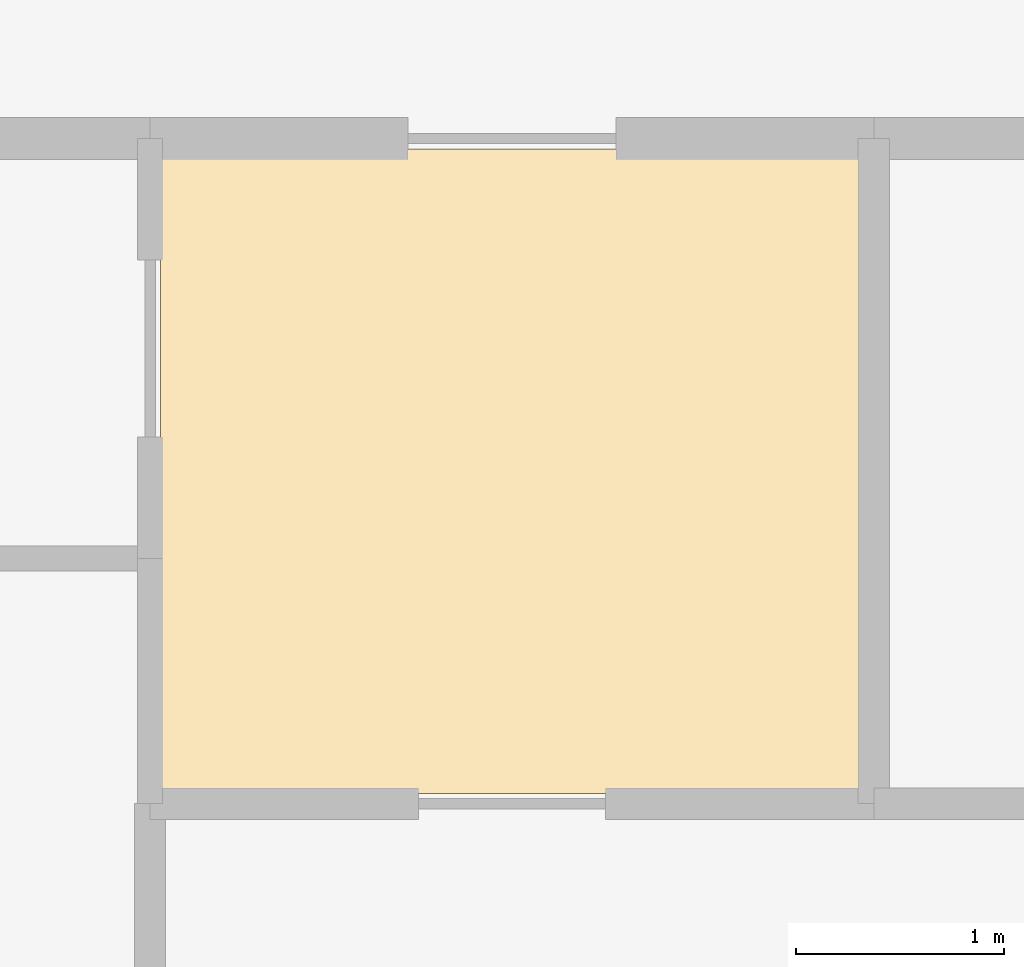
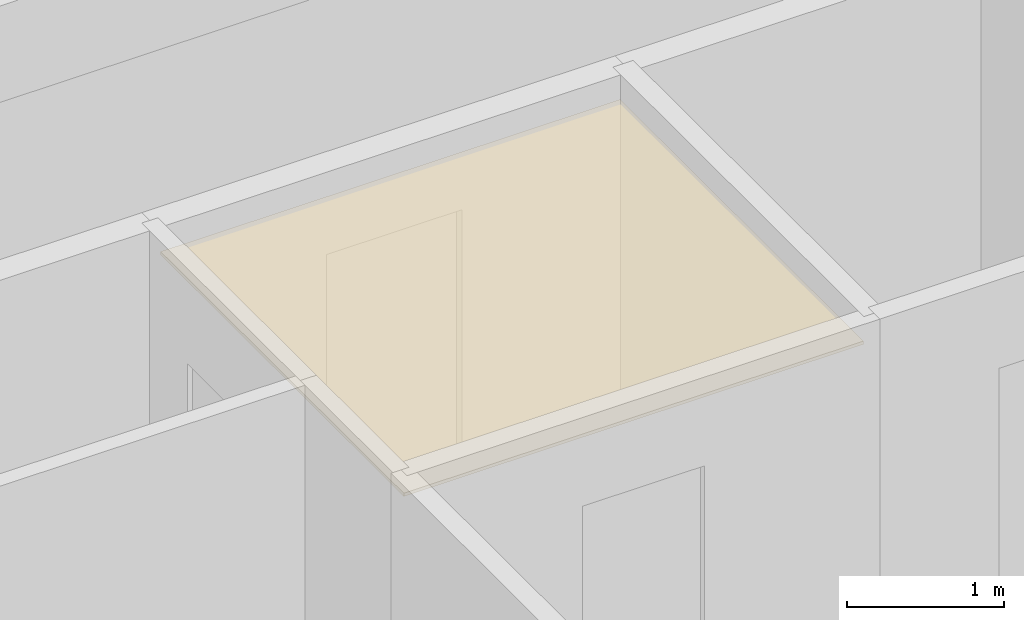
# One storey, part 11 of 16: 1 covering.
"""IFC4 building model written with IfcOpenShell, lengths in metres."""

import ifcopenshell
import ifcopenshell.guid

model = None  # the IFC model being written
_history = None  # IfcOwnerHistory: only IFC2X3 demands one
_inside = {}  # id of a spatial element -> (the spatial element, [elements in it])
_under = {}  # id of a project, library or spatial element -> (it, [spatial elements below it])
_declared = {}  # id of a project -> (the project, [libraries it declares])
_typed = {}  # id of a type object -> (the type object, [elements of that type])
_made_of = {}  # id of a material, layer set ... -> (it, [elements and type objects made of it])


def new_model(schema):
    """Start an empty IFC model of exactly this schema.

    Asked for "IFC4X3", IfcOpenShell would pick the latest addendum, in which some entities
    have other attributes; the version numbers below select the first issue.
    IFC2X3 requires an IfcOwnerHistory on every rooted entity: one is made here for all.
    """
    global model, _history
    if schema == "IFC4X3":
        model = ifcopenshell.file(schema_version=(4, 3, 0, 0))
    else:
        model = ifcopenshell.file(schema=schema)
    _inside.clear()
    _under.clear()
    _declared.clear()
    _typed.clear()
    _made_of.clear()
    _history = None
    if model.schema == "IFC2X3":
        org = make("IfcOrganization", Name="unknown")
        user = make(
            "IfcPersonAndOrganization",
            ThePerson=make("IfcPerson", FamilyName="unknown"),
            TheOrganization=org,
        )
        app = make(
            "IfcApplication",
            ApplicationDeveloper=org,
            Version="unknown",
            ApplicationFullName="unknown",
            ApplicationIdentifier="unknown",
        )
        _history = make(
            "IfcOwnerHistory",
            OwningUser=user,
            OwningApplication=app,
            ChangeAction="ADDED",
            CreationDate=0,
        )
    return model


def make(cls, **values):
    """One entity of the class cls with the attributes given. An attribute that is None is left unset."""
    return model.create_entity(
        cls, **{name: value for name, value in values.items() if value is not None}
    )


def rooted(cls, **values):
    """An entity with a GlobalId (a new one), such as an element, a storey or a relation."""
    return make(cls, GlobalId=ifcopenshell.guid.new(), OwnerHistory=_history, **values)


def si_unit(unit_type, name, prefix=None):
    """IfcSIUnit, for example si_unit("LENGTHUNIT", "METRE", prefix="MILLI")."""
    return make("IfcSIUnit", UnitType=unit_type, Prefix=prefix, Name=name)


def assignment(units):
    """IfcUnitAssignment: the units of a project."""
    return None if units is None else make("IfcUnitAssignment", Units=units)


def point(xyz):
    """IfcCartesianPoint."""
    return None if xyz is None else make("IfcCartesianPoint", Coordinates=xyz)


def direction(xyz):
    """IfcDirection."""
    return None if xyz is None else make("IfcDirection", DirectionRatios=xyz)


def frame(location, z_axis=None, x_axis=None):
    """IfcAxis2Placement3D, a coordinate frame: its origin and axes. An axis left out is left unset."""
    return make(
        "IfcAxis2Placement3D",
        Location=point(location),
        Axis=direction(z_axis),
        RefDirection=direction(x_axis),
    )


def origin():
    """The frame at (0, 0, 0) with its axes left unset."""
    return frame((0.0, 0.0, 0.0))


def place(relative_to, where):
    """IfcLocalPlacement: puts the frame where relative to a parent placement (None: the world)."""
    return make(
        "IfcLocalPlacement", PlacementRelTo=relative_to, RelativePlacement=where
    )


def context(
    kind, dimensions, precision=None, world=None, true_north=None, identifier=None
):
    """IfcGeometricRepresentationContext, for example the 3D "Model" context."""
    return make(
        "IfcGeometricRepresentationContext",
        ContextIdentifier=identifier,
        ContextType=kind,
        CoordinateSpaceDimension=dimensions,
        Precision=precision,
        WorldCoordinateSystem=world,
        TrueNorth=true_north,
    )


def subcontext(parent, identifier, kind, view, scale=None):
    """IfcGeometricRepresentationSubContext, for example "Body" below "Model"."""
    return make(
        "IfcGeometricRepresentationSubContext",
        ContextIdentifier=identifier,
        ContextType=kind,
        ParentContext=parent,
        TargetScale=scale,
        TargetView=view,
    )


def project(units=None, contexts=None):
    """IfcProject with its units and contexts."""
    return rooted(
        "IfcProject",
        Name="project",
        RepresentationContexts=contexts,
        UnitsInContext=assignment(units),
    )


def spatial(cls, under=None, at=None, **own):
    """A site, building, storey or space (cls), placed at a placement, below another one or the project."""
    s = rooted(cls, ObjectPlacement=at, **own)
    if under is not None:
        _under.setdefault(under.id(), (under, []))[1].append(s)
    return s


def polyline(points):
    """IfcPolyline through the points."""
    return make("IfcPolyline", Points=[point(p) for p in points])


def outline(outer, holes=None, kind="AREA"):
    """IfcArbitraryClosedProfileDef: a profile drawn as a closed curve; with holes, ...WithVoids."""
    if holes is None:
        return make("IfcArbitraryClosedProfileDef", ProfileType=kind, OuterCurve=outer)
    return make(
        "IfcArbitraryProfileDefWithVoids",
        ProfileType=kind,
        OuterCurve=outer,
        InnerCurves=holes,
    )


def extrude(swept, where, along, depth):
    """IfcExtrudedAreaSolid: the profile swept, set in the frame where, extruded along a direction by depth."""
    return make(
        "IfcExtrudedAreaSolid",
        SweptArea=swept,
        Position=where,
        ExtrudedDirection=direction(along),
        Depth=depth,
    )


def shape(context_of_items, identifier, shape_type, items):
    """IfcShapeRepresentation: the items that make up one representation, for example the "Body"."""
    return make(
        "IfcShapeRepresentation",
        ContextOfItems=context_of_items,
        RepresentationIdentifier=identifier,
        RepresentationType=shape_type,
        Items=items,
    )


def material(Name=None, Category=None):
    """IfcMaterial."""
    return make("IfcMaterial", Name=Name, Category=Category)


def layer(
    of_material, thickness, ventilated=None, Name=None, Category=None, Priority=None
):
    """IfcMaterialLayer: one layer of a wall or slab, of a material (None: an air gap)."""
    return make(
        "IfcMaterialLayer",
        Material=of_material,
        LayerThickness=thickness,
        IsVentilated=ventilated,
        Name=Name,
        Category=Category,
        Priority=Priority,
    )


def layer_set(layers, Name=None):
    """IfcMaterialLayerSet."""
    return make("IfcMaterialLayerSet", MaterialLayers=layers, LayerSetName=Name)


def made_of(thing, what):
    """Note that an element or type object is made of a material, layer set ...; save() writes the relation."""
    if what is not None:
        _made_of.setdefault(what.id(), (what, []))[1].append(thing)
    return thing


def type_object(cls, material=None, **own):
    """A type object (cls), such as IfcWallType, which elements share."""
    return made_of(rooted(cls, **own), material)


def element(
    cls,
    number,
    at=None,
    inside=None,
    cuts=None,
    type_object=None,
    material=None,
    context=None,
    identifier="Body",
    shape_type=None,
    held_by="IfcProductDefinitionShape",
    body=None,
    shapes=None,
    **own,
):
    """One element of the class cls, such as IfcWall. Its Tag is "e" and its number.

    at: its placement. inside: the storey or other place that contains it. cuts: it is an
    opening in that element (IfcRelVoidsElement). A single representation is given by context,
    identifier, shape_type and body (its items); several are given by shapes. held_by: the class
    of the entity that holds the representations. save() writes the other relations.
    """
    e = rooted(cls, Tag="e%d" % number, ObjectPlacement=at, **own)
    if body is not None:
        shapes = [shape(context, identifier, shape_type, body)]
    if shapes is not None:
        e.Representation = make(held_by, Representations=shapes)
    if inside is not None:
        _inside.setdefault(inside.id(), (inside, []))[1].append(e)
    if cuts is not None:
        rooted(
            "IfcRelVoidsElement", RelatingBuildingElement=cuts, RelatedOpeningElement=e
        )
    if type_object is not None:
        _typed.setdefault(type_object.id(), (type_object, []))[1].append(e)
    return made_of(e, material)


def aggregate(whole, parts):
    """IfcRelAggregates: a whole, such as a stair, and the parts it consists of."""
    return rooted("IfcRelAggregates", RelatingObject=whole, RelatedObjects=parts)


def save(model, path):
    """Write the relations noted so far, then the file.

    IfcRelAggregates (storeys below a building ...), IfcRelContainedInSpatialStructure (elements
    in a storey), IfcRelDefinesByType, IfcRelAssociatesMaterial and IfcRelDeclares: one each for
    every whole, place, type object, material and project.
    """
    for whole, parts in _under.values():
        aggregate(whole, parts)
    for where, things in _inside.values():
        rooted(
            "IfcRelContainedInSpatialStructure",
            RelatedElements=things,
            RelatingStructure=where,
        )
    for kind, things in _typed.values():
        rooted("IfcRelDefinesByType", RelatedObjects=things, RelatingType=kind)
    for what, things in _made_of.values():
        rooted("IfcRelAssociatesMaterial", RelatedObjects=things, RelatingMaterial=what)
    for by, libraries in _declared.values():
        rooted("IfcRelDeclares", RelatingContext=by, RelatedDefinitions=libraries)
    model.write(path)


model = new_model("IFC4")

# Units and contexts
model_context = context("Model", 3, precision=1e-05, world=origin(), true_north=direction((0.0, 1.0)))
body_context = subcontext(model_context, "Body", "Model", "MODEL_VIEW")
ifc_project = project(units=[si_unit("LENGTHUNIT", "METRE"), si_unit("AREAUNIT", "SQUARE_METRE"), si_unit("VOLUMEUNIT", "CUBIC_METRE"), si_unit("PLANEANGLEUNIT", "RADIAN"), si_unit("MASSUNIT", "GRAM", prefix="KILO")], contexts=[model_context])

# Site, building, storey
site_placement = place(None, origin())
site = spatial("IfcSite", under=ifc_project, at=site_placement, CompositionType="ELEMENT")
building_placement = place(site_placement, origin())
building = spatial("IfcBuilding", under=site, at=building_placement, Name="Saelheon Loggia Tower", CompositionType="ELEMENT")
storey_placement = place(building_placement, frame((0.0, 0.0, 58.39990234375)))
storey = spatial("IfcBuildingStorey", under=building, at=storey_placement, Name="L18", CompositionType="ELEMENT", Elevation=58.39990234375)

# Covering
ifc_material = material(Name="Mineral-Fibre Acoustic Ceiling Board", Category="gypsum")
ifc_layer = layer(ifc_material, 0.02490234375)
ifc_layer_set = layer_set([ifc_layer], Name="Mineral-Fibre Acoustic Ceiling Board")
covering_type = type_object("IfcCoveringType", Name="Cov_Ceiling_Acoustic", PredefinedType="CEILING", material=ifc_layer_set)
covering_placement = place(storey_placement, frame((0.0, 0.0, 2.53515625)))
element("IfcCovering", 1, at=covering_placement, inside=storey, type_object=covering_type, Name="L18 Acoustic Suspended Ceiling", PredefinedType="CEILING", context=body_context, shape_type="SweptSolid", body=[
    extrude(outline(polyline([(19.2119140625, 11.800048828125), (22.593017578125, 11.800048828125), (22.593017578125, 14.89990234375), (19.2119140625, 14.89990234375), (19.2119140625, 11.800048828125)])), origin(), (0.0, 0.0, 1.0), 0.02490234375),
])

save(model, "model.ifc")
